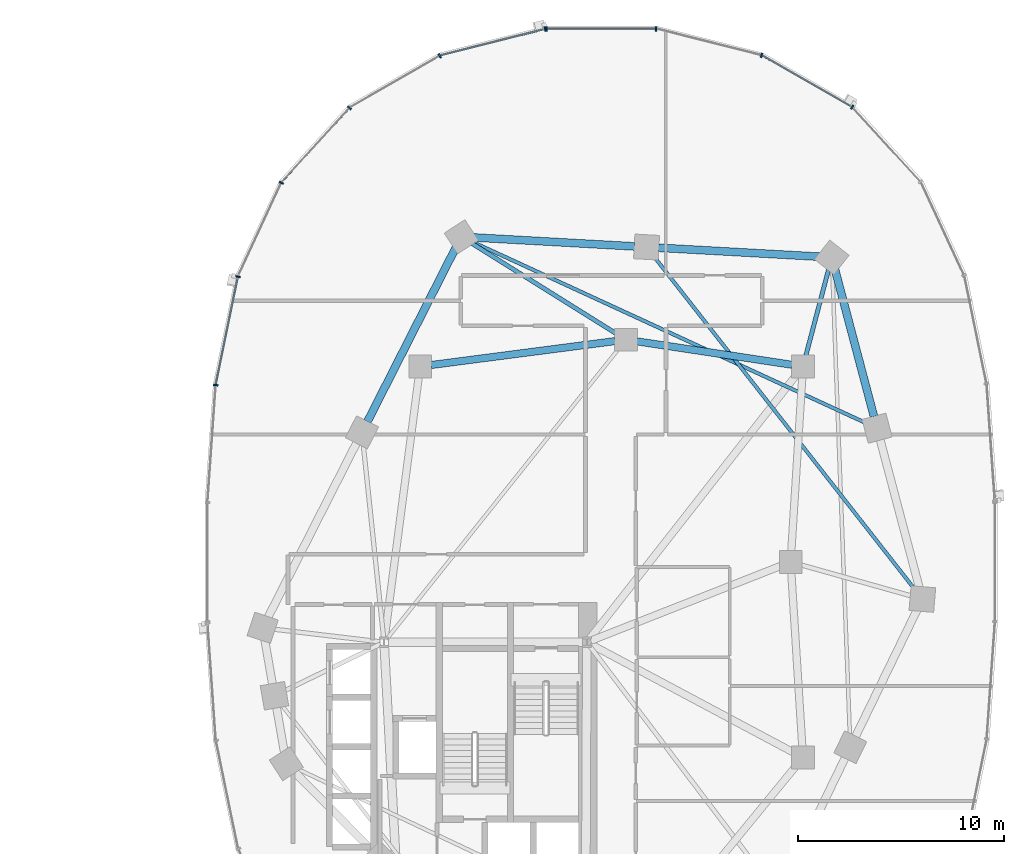
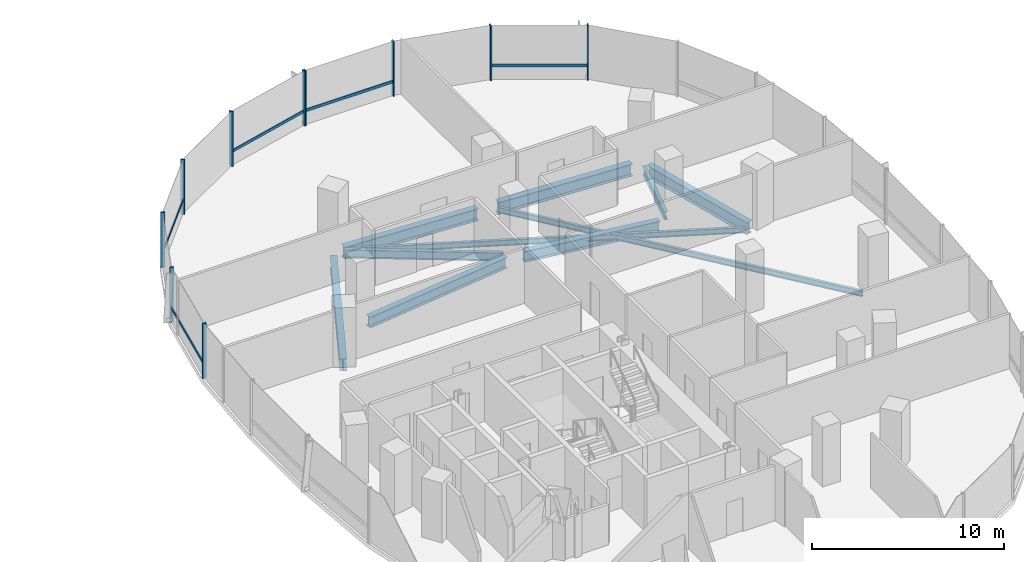
# One storey, part 7 of 22: 15 members, 10 beams, 2 elements without a shape of their own.
"""IFC4 building model written with IfcOpenShell, lengths in metres."""

from ifc_helpers import new_model, si_unit, direction, frame, origin, origin_2d, place, context, subcontext, project, spatial, rectangle, i_section, extrude, material, material_profile, profile_set, type_object, element, aggregate, save


model = new_model("IFC4")

# Units and contexts
model_context = context("Model", 3, precision=1e-05, world=origin(), true_north=direction((0.0, 1.0)))
body_context = subcontext(model_context, "Body", "Model", "MODEL_VIEW")
ifc_project = project(units=[si_unit("LENGTHUNIT", "METRE"), si_unit("AREAUNIT", "SQUARE_METRE"), si_unit("VOLUMEUNIT", "CUBIC_METRE"), si_unit("PLANEANGLEUNIT", "RADIAN"), si_unit("MASSUNIT", "GRAM", prefix="KILO"), si_unit("THERMODYNAMICTEMPERATUREUNIT", "KELVIN"), si_unit("POWERUNIT", "WATT")], contexts=[model_context])

# Site, building, storey
site_placement = place(None, origin())
site = spatial("IfcSite", under=ifc_project, at=site_placement, CompositionType="ELEMENT")
building_placement = place(site_placement, origin())
building = spatial("IfcBuilding", under=site, at=building_placement, Name="Cundina Bronze Exchange", CompositionType="ELEMENT")
storey_placement = place(building_placement, frame((0.0, 0.0, 39.199951171875)))
storey = spatial("IfcBuildingStorey", under=building, at=storey_placement, Name="L09", CompositionType="ELEMENT", Elevation=39.199951171875)

# Beams
ifc_material_1 = material(Name="Steel ASTM A992 Grade 50", Category="steel")
ifc_material_profile_1 = material_profile(ifc_material_1, i_section(OverallWidth=0.2099609375, OverallDepth=0.532958984375, WebThickness=0.01025390625, FlangeThickness=0.015625, FilletRadius=0.013916015625, at=origin_2d()), Name="W21X62", Category="steel")
ifc_profile_set_1 = profile_set([ifc_material_profile_1], Name="Steel ASTM A992 Grade 50")
beam_type_1 = type_object("IfcBeamType", Name="BM-FLR-W21B", PredefinedType="BEAM", material=ifc_profile_set_1)
beam_1_placement = place(storey_placement, frame((41.9375, 10.020263671875, -0.56640625), z_axis=(0.255373327887, 0.966842522546, 0.0), x_axis=(-0.966842522546, 0.255373327887, 0.0)))
element("IfcBeam", 1, at=beam_1_placement, inside=storey, type_object=beam_type_1, Name="L09 Leg E Chordal Floor Beam 10", PredefinedType="BEAM", context=body_context, shape_type="SweptSolid", body=[
    extrude(i_section(OverallWidth=0.2099609375, OverallDepth=0.532958984375, WebThickness=0.01025390625, FlangeThickness=0.015625, FilletRadius=0.013916015625, at=origin_2d()), origin(), (0.0, 0.0, 1.0), 4.355712890625),
])
beam_2_placement = place(storey_placement, frame((32.743896484375, 11.085205078125, -0.56640625), z_axis=(-0.848014812458, 0.529972525563, 0.0), x_axis=(-0.529972525563, -0.848014812458, 0.0)))
element("IfcBeam", 2, at=beam_2_placement, inside=storey, type_object=beam_type_1, Name="L09 Leg E Chordal Floor Beam 12", PredefinedType="BEAM", context=body_context, shape_type="SweptSolid", body=[
    extrude(i_section(OverallWidth=0.2099609375, OverallDepth=0.532958984375, WebThickness=0.01025390625, FlangeThickness=0.015625, FilletRadius=0.013916015625, at=origin_2d()), origin(), (0.0, 0.0, 1.0), 8.30810546875),
])
ifc_material_profile_2 = material_profile(ifc_material_1, i_section(OverallWidth=0.172119140625, OverallDepth=0.35791015625, WebThickness=0.0078125, FlangeThickness=0.01318359375, FilletRadius=0.010009765625, at=origin_2d()), Name="W14X38", Category="steel")
ifc_profile_set_2 = profile_set([ifc_material_profile_2], Name="Steel ASTM A992 Grade 50")
beam_type_2 = type_object("IfcBeamType", Name="BM-JST-W14", PredefinedType="JOIST", material=ifc_profile_set_2)
beam_3_placement = place(storey_placement, frame((47.2373046875, -1.337158203125, -0.47900390625), z_axis=(-0.616803089524, 0.787117493614, 0.0), x_axis=(-0.787117493614, -0.616803089524, 0.0)))
element("IfcBeam", 3, at=beam_3_placement, inside=storey, type_object=beam_type_2, Name="L09 Leg E Lobe Floor Joist 08-11", PredefinedType="JOIST", context=body_context, shape_type="SweptSolid", body=[
    extrude(i_section(OverallWidth=0.172119140625, OverallDepth=0.35791015625, WebThickness=0.0078125, FlangeThickness=0.01318359375, FilletRadius=0.010009765625, at=origin_2d()), origin(), (0.0, 0.0, 1.0), 20.548828125),
])
beam_4_placement = place(storey_placement, frame((44.865966796875, 6.745849609375, -0.47900390625), z_axis=(-0.908351511887, 0.418207521277, 0.0), x_axis=(-0.418207521277, -0.908351511887, 0.0)))
element("IfcBeam", 4, at=beam_4_placement, inside=storey, type_object=beam_type_2, Name="L09 Leg E Lobe Floor Joist 09-12", PredefinedType="JOIST", context=body_context, shape_type="SweptSolid", body=[
    extrude(i_section(OverallWidth=0.172119140625, OverallDepth=0.35791015625, WebThickness=0.0078125, FlangeThickness=0.01318359375, FilletRadius=0.010009765625, at=origin_2d()), origin(), (0.0, 0.0, 1.0), 21.062255859375),
])
ifc_material_profile_3 = material_profile(ifc_material_1, i_section(OverallWidth=0.35498046875, OverallDepth=0.695068359375, WebThickness=0.015380859375, FlangeThickness=0.02490234375, FilletRadius=0.01806640625, at=origin_2d()), Name="W27X146", Category="steel")
ifc_profile_set_3 = profile_set([ifc_material_profile_3], Name="Steel ASTM A992 Grade 50")
beam_type_3 = type_object("IfcBeamType", Name="BM-RING-W27", PredefinedType="USERDEFINED", material=ifc_profile_set_3)
beam_5_placement = place(storey_placement, frame((41.26806640625, 9.580322265625, -0.6474609375), z_axis=(-0.988767489563, 0.149461873341, 0.0), x_axis=(-0.149461873341, -0.988767489563, 0.0)))
element("IfcBeam", 5, at=beam_5_placement, inside=storey, type_object=beam_type_3, Name="L09 E Inner Structural Ring Girder 05", ObjectType="GIRDER", PredefinedType="USERDEFINED", context=body_context, shape_type="SweptSolid", body=[
    extrude(i_section(OverallWidth=0.35498046875, OverallDepth=0.695068359375, WebThickness=0.015380859375, FlangeThickness=0.02490234375, FilletRadius=0.01806640625, at=origin_2d()), origin(), (0.0, 0.0, 1.0), 7.621826171875),
])
beam_6_placement = place(storey_placement, frame((32.66650390625, 10.730712890625, -0.6474609375), z_axis=(-0.991654577907, -0.128923225666, 0.0), x_axis=(0.128923225666, -0.991654577907, 0.0)))
element("IfcBeam", 6, at=beam_6_placement, inside=storey, type_object=beam_type_3, Name="L09 E Inner Structural Ring Girder 06", ObjectType="GIRDER", PredefinedType="USERDEFINED", context=body_context, shape_type="SweptSolid", body=[
    extrude(i_section(OverallWidth=0.35498046875, OverallDepth=0.695068359375, WebThickness=0.015380859375, FlangeThickness=0.02490234375, FilletRadius=0.01806640625, at=origin_2d()), origin(), (0.0, 0.0, 1.0), 9.00830078125),
])
ifc_material_profile_4 = material_profile(ifc_material_1, i_section(OverallWidth=0.381103515625, OverallDepth=0.77294921875, WebThickness=0.0166015625, FlangeThickness=0.027099609375, FilletRadius=0.01904296875, at=origin_2d()), Name="W30X173", Category="steel")
ifc_profile_set_4 = profile_set([ifc_material_profile_4], Name="Steel ASTM A992 Grade 50")
beam_type_4 = type_object("IfcBeamType", Name="BM-RING-W30", PredefinedType="USERDEFINED", material=ifc_profile_set_4)
beam_7_placement = place(storey_placement, frame((45.249267578125, 7.068359375, -0.6865234375), z_axis=(-0.256208567826, 0.966621523541, 0.0), x_axis=(-0.966621523541, -0.256208567826, 0.0)))
element("IfcBeam", 7, at=beam_7_placement, inside=storey, type_object=beam_type_4, Name="L09 E Perimeter Ring Girder 09", ObjectType="GIRDER", PredefinedType="USERDEFINED", context=body_context, shape_type="SweptSolid", body=[
    extrude(i_section(OverallWidth=0.381103515625, OverallDepth=0.77294921875, WebThickness=0.0166015625, FlangeThickness=0.027099609375, FilletRadius=0.01904296875, at=origin_2d()), origin(), (0.0, 0.0, 1.0), 7.41064453125),
])
for number, where, z_axis, x_axis, name in (
    (8, (42.61279296875, 14.83251953125, -0.6865234375), (-0.998459969805, 0.055476920391, 0.0), (-0.055476920391, -0.998459969805, 0.0), "L09 E Perimeter Ring Girder 10"),
    (9, (33.61279296875, 15.33251953125, -0.6865234375), (-0.998459969805, 0.055476920391, 0.0), (-0.055476920391, -0.998459969805, 0.0), "L09 E Perimeter Ring Girder 11"),
):
    element("IfcBeam", number, at=place(storey_placement, frame(where, z_axis=z_axis, x_axis=x_axis)), inside=storey, type_object=beam_type_4, Name=name, ObjectType="GIRDER", PredefinedType="USERDEFINED", context=body_context, shape_type="SweptSolid", body=[
        extrude(i_section(OverallWidth=0.381103515625, OverallDepth=0.77294921875, WebThickness=0.0166015625, FlangeThickness=0.027099609375, FilletRadius=0.01904296875, at=origin_2d()), origin(), (0.0, 0.0, 1.0), 7.837646484375),
    ])
beam_8_placement = place(storey_placement, frame((24.93359375, 15.275634765625, -0.6865234375), z_axis=(-0.452819633606, -0.891602141889, 0.0), x_axis=(0.891602141889, -0.452819633606, 0.0)))
element("IfcBeam", 10, at=beam_8_placement, inside=storey, type_object=beam_type_4, Name="L09 E Perimeter Ring Girder 12", ObjectType="GIRDER", PredefinedType="USERDEFINED", context=body_context, shape_type="SweptSolid", body=[
    extrude(i_section(OverallWidth=0.381103515625, OverallDepth=0.77294921875, WebThickness=0.0166015625, FlangeThickness=0.027099609375, FilletRadius=0.01904296875, at=origin_2d()), origin(), (0.0, 0.0, 1.0), 9.47900390625),
])

# Curtain wall, members
ifc_material_2 = material(Name="Anodised Bronze Aluminium 6063-T6", Category="aluminium")
curtain_wall_type = type_object("IfcCurtainWallType", Name="CWS-TRD-LOW", PredefinedType="NOTDEFINED", material=ifc_material_2)
curtain_wall_1_placement = place(storey_placement, origin())
curtain_wall_1 = element("IfcCurtainWall", 11, at=curtain_wall_1_placement, inside=storey, type_object=curtain_wall_type, Name="L09 CW-02 Curtain Wall Run CWR-L09-E1", PredefinedType="NOTDEFINED")
ifc_material_profile_5 = material_profile(ifc_material_2, rectangle(XDim=0.074951171875, YDim=0.219970703125, at=origin_2d()), Name="AL75X220", Category="aluminium")
ifc_profile_set_5 = profile_set([ifc_material_profile_5], Name="Anodised Bronze Aluminium 6063-T6")
member_type_1 = type_object("IfcMemberType", Name="CWM-MUL-220", PredefinedType="MULLION", material=ifc_profile_set_5)
member_1_placement = place(storey_placement, frame((44.189697265625, 22.097412109375, 0.0), z_axis=(0.0, 0.0, 1.0), x_axis=(-0.867070701164, 0.498185105339, 0.0)))
member_1 = element("IfcMember", 12, at=member_1_placement, type_object=member_type_1, Name="CW-02 Mullion 5", PredefinedType="MULLION", context=body_context, shape_type="SweptSolid", body=[
    extrude(rectangle(XDim=0.074951171875, YDim=0.219970703125, at=origin_2d()), origin(), (0.0, 0.0, 1.0), 3.5),
])
member_2_placement = place(storey_placement, frame((39.78515625, 24.61669921875, 0.0), z_axis=(0.0, 0.0, 1.0), x_axis=(-0.969488149345, 0.245138182011, 0.0)))
member_2 = element("IfcMember", 13, at=member_2_placement, type_object=member_type_1, Name="CW-02 Mullion 6", PredefinedType="MULLION", context=body_context, shape_type="SweptSolid", body=[
    extrude(rectangle(XDim=0.074951171875, YDim=0.219970703125, at=origin_2d()), origin(), (0.0, 0.0, 1.0), 3.5),
])
member_3_placement = place(storey_placement, frame((34.654541015625, 25.905029296875, 0.0), z_axis=(0.0, 0.0, 1.0), x_axis=(-1.0, 0.0, 0.0)))
member_3 = element("IfcMember", 14, at=member_3_placement, type_object=member_type_1, Name="CW-02 Mullion 7", PredefinedType="MULLION", context=body_context, shape_type="SweptSolid", body=[
    extrude(rectangle(XDim=0.074951171875, YDim=0.219970703125, at=origin_2d()), origin(), (0.0, 0.0, 1.0), 3.5),
])
member_4_placement = place(storey_placement, frame((29.345458984375, 25.905029296875, 0.0), z_axis=(0.0, 0.0, 1.0), x_axis=(-1.0, 0.0, 0.0)))
member_4 = element("IfcMember", 15, at=member_4_placement, type_object=member_type_1, Name="CW-02 End Mullion", PredefinedType="MULLION", context=body_context, shape_type="SweptSolid", body=[
    extrude(rectangle(XDim=0.074951171875, YDim=0.219970703125, at=origin_2d()), origin(), (0.0, 0.0, 1.0), 3.5),
])

curtain_wall_2_placement = place(storey_placement, origin())
curtain_wall_2 = element("IfcCurtainWall", 16, at=curtain_wall_2_placement, inside=storey, type_object=curtain_wall_type, Name="L09 CW-02 Curtain Wall Run CWR-L09-E2", PredefinedType="NOTDEFINED")
member_5_placement = place(storey_placement, frame((29.27392578125, 25.89599609375, 0.0), z_axis=(0.0, 0.0, 1.0), x_axis=(-0.969488149345, -0.245138182011, 0.0)))
member_5 = element("IfcMember", 17, at=member_5_placement, type_object=member_type_1, Name="CW-02 Mullion 1", PredefinedType="MULLION", context=body_context, shape_type="SweptSolid", body=[
    extrude(rectangle(XDim=0.074951171875, YDim=0.219970703125, at=origin_2d()), origin(), (0.0, 0.0, 1.0), 3.5),
])
member_6_placement = place(storey_placement, frame((24.151123046875, 24.591064453125, 0.0), z_axis=(0.0, 0.0, 1.0), x_axis=(-0.867070701164, -0.498185105339, 0.0)))
member_6 = element("IfcMember", 18, at=member_6_placement, type_object=member_type_1, Name="CW-02 Mullion 2", PredefinedType="MULLION", context=body_context, shape_type="SweptSolid", body=[
    extrude(rectangle(XDim=0.074951171875, YDim=0.219970703125, at=origin_2d()), origin(), (0.0, 0.0, 1.0), 3.5),
])
member_7_placement = place(storey_placement, frame((19.760498046875, 22.0576171875, 0.0), z_axis=(0.0, 0.0, 1.0), x_axis=(-0.674302387584, -0.738455340626, 0.0)))
member_7 = element("IfcMember", 19, at=member_7_placement, type_object=member_type_1, Name="CW-02 Mullion 3", PredefinedType="MULLION", context=body_context, shape_type="SweptSolid", body=[
    extrude(rectangle(XDim=0.074951171875, YDim=0.219970703125, at=origin_2d()), origin(), (0.0, 0.0, 1.0), 3.5),
])
member_8_placement = place(storey_placement, frame((16.455810546875, 18.423583984375, 0.0), z_axis=(0.0, 0.0, 1.0), x_axis=(-0.42087749791, -0.907117485088, 0.0)))
member_8 = element("IfcMember", 20, at=member_8_placement, type_object=member_type_1, Name="CW-02 Mullion 4", PredefinedType="MULLION", context=body_context, shape_type="SweptSolid", body=[
    extrude(rectangle(XDim=0.074951171875, YDim=0.219970703125, at=origin_2d()), origin(), (0.0, 0.0, 1.0), 3.5),
])
member_9_placement = place(storey_placement, frame((14.348876953125, 13.861328125, 0.0), z_axis=(0.0, 0.0, 1.0), x_axis=(-0.201419845156, -0.979505000486, 0.0)))
member_9 = element("IfcMember", 21, at=member_9_placement, type_object=member_type_1, Name="CW-02 Mullion 5", PredefinedType="MULLION", context=body_context, shape_type="SweptSolid", body=[
    extrude(rectangle(XDim=0.074951171875, YDim=0.219970703125, at=origin_2d()), origin(), (0.0, 0.0, 1.0), 3.5),
])
member_10_placement = place(storey_placement, frame((13.27099609375, 8.591552734375, 0.0), z_axis=(0.0, 0.0, 1.0), x_axis=(-0.070278787473, -0.997527389113, 0.0)))
member_10 = element("IfcMember", 22, at=member_10_placement, type_object=member_type_1, Name="CW-02 Mullion 6", PredefinedType="MULLION", context=body_context, shape_type="SweptSolid", body=[
    extrude(rectangle(XDim=0.074951171875, YDim=0.219970703125, at=origin_2d()), origin(), (0.0, 0.0, 1.0), 3.5),
])

# Member
ifc_material_profile_6 = material_profile(ifc_material_2, rectangle(XDim=0.070068359375, YDim=0.179931640625, at=origin_2d()), Name="AL70X180", Category="aluminium")
ifc_profile_set_6 = profile_set([ifc_material_profile_6], Name="Anodised Bronze Aluminium 6063-T6")
member_type_2 = type_object("IfcMemberType", Name="CWM-TRN-180", PredefinedType="USERDEFINED", material=ifc_profile_set_6)
member_11_placement = place(storey_placement, frame((44.154052734375, 22.117919921875, 0.920166015625), z_axis=(-0.867097475651, 0.498138502546, 0.0), x_axis=(-0.498138502546, -0.867097475651, 0.0)))
member_11 = element("IfcMember", 23, at=member_11_placement, type_object=member_type_2, Name="CW-02 Spandrel Transom 5", ObjectType="TRANSOM", PredefinedType="USERDEFINED", context=body_context, shape_type="SweptSolid", body=[
    extrude(rectangle(XDim=0.070068359375, YDim=0.179931640625, at=origin_2d()), origin(), (0.0, 0.0, 1.0), 5.00634765625),
])

member_12_placement = place(storey_placement, frame((34.61328125, 25.905029296875, 0.920166015625), z_axis=(-1.0, 0.0, 0.0), x_axis=(0.0, -1.0, 0.0)))
member_12 = element("IfcMember", 24, at=member_12_placement, type_object=member_type_2, Name="CW-02 Spandrel Transom 7", ObjectType="TRANSOM", PredefinedType="USERDEFINED", context=body_context, shape_type="SweptSolid", body=[
    extrude(rectangle(XDim=0.070068359375, YDim=0.179931640625, at=origin_2d()), origin(), (0.0, 0.0, 1.0), 5.2265625),
])

aggregate(curtain_wall_1, [member_1, member_11, member_2, member_3, member_4, member_12])

member_13_placement = place(storey_placement, frame((29.23388671875, 25.885986328125, 0.920166015625), z_axis=(-0.969483968866, -0.245154714644, 0.0), x_axis=(0.245154714644, -0.969483968866, 0.0)))
member_13 = element("IfcMember", 25, at=member_13_placement, type_object=member_type_2, Name="CW-02 Spandrel Transom 1", ObjectType="TRANSOM", PredefinedType="USERDEFINED", context=body_context, shape_type="SweptSolid", body=[
    extrude(rectangle(XDim=0.070068359375, YDim=0.179931640625, at=origin_2d()), origin(), (0.0, 0.0, 1.0), 5.21826171875),
])

member_14_placement = place(storey_placement, frame((19.73291015625, 22.027099609375, 0.920166015625), z_axis=(-0.674302794847, -0.738454968743, 0.0), x_axis=(0.738454968743, -0.674302794847, 0.0)))
member_14 = element("IfcMember", 26, at=member_14_placement, type_object=member_type_2, Name="CW-02 Spandrel Transom 3", ObjectType="TRANSOM", PredefinedType="USERDEFINED", context=body_context, shape_type="SweptSolid", body=[
    extrude(rectangle(XDim=0.070068359375, YDim=0.179931640625, at=origin_2d()), origin(), (0.0, 0.0, 1.0), 4.848388671875),
])

member_15_placement = place(storey_placement, frame((14.340576171875, 13.821044921875, 0.920166015625), z_axis=(-0.201427712708, -0.979503382615, 0.0), x_axis=(0.979503382615, -0.201427712708, 0.0)))
member_15 = element("IfcMember", 27, at=member_15_placement, type_object=member_type_2, Name="CW-02 Spandrel Transom 5", ObjectType="TRANSOM", PredefinedType="USERDEFINED", context=body_context, shape_type="SweptSolid", body=[
    extrude(rectangle(XDim=0.070068359375, YDim=0.179931640625, at=origin_2d()), origin(), (0.0, 0.0, 1.0), 5.291748046875),
])

aggregate(curtain_wall_2, [member_5, member_13, member_6, member_7, member_14, member_8, member_9, member_15, member_10])

save(model, "model.ifc")
